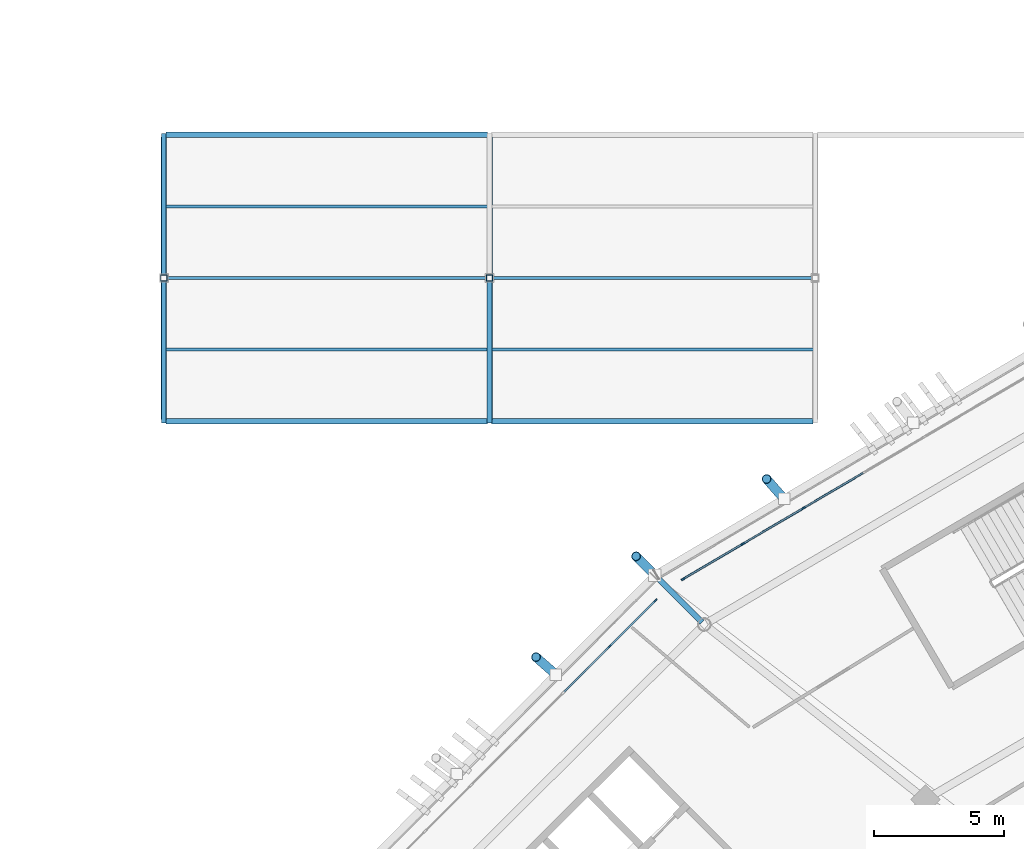
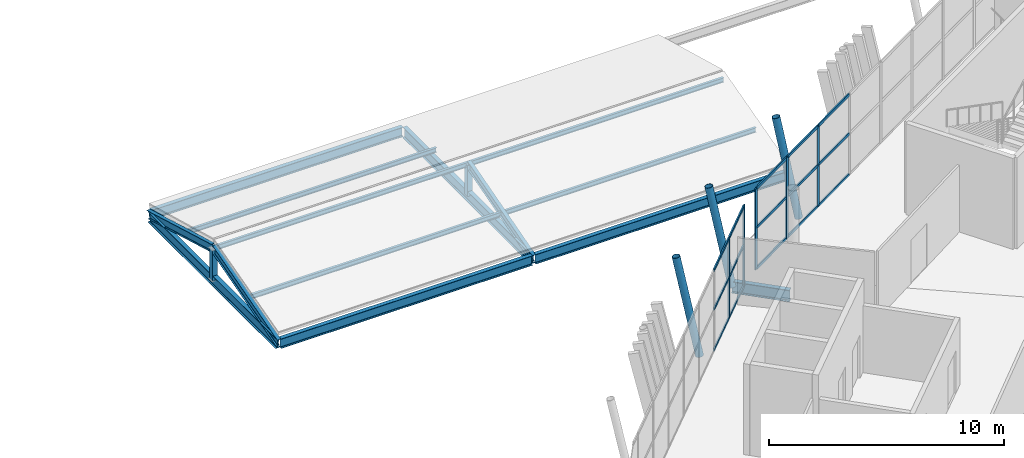
# One storey, part 70 of 179: 33 members, 6 beams, 2 elements without a shape of their own.
"""IFC4 building model written with IfcOpenShell, lengths in metres."""

from ifc_helpers import new_model, si_unit, direction, frame, origin, origin_2d, place, context, subcontext, project, spatial, rectangle, hollow_rectangle, hollow_circle, i_section, extrude, material, material_profile, profile_set, type_object, element, aggregate, save


model = new_model("IFC4")

# Units and contexts
model_context = context("Model", 3, precision=1e-05, world=origin(), true_north=direction((0.0, 1.0)))
body_context = subcontext(model_context, "Body", "Model", "MODEL_VIEW")
ifc_project = project(units=[si_unit("LENGTHUNIT", "METRE"), si_unit("AREAUNIT", "SQUARE_METRE"), si_unit("VOLUMEUNIT", "CUBIC_METRE"), si_unit("PLANEANGLEUNIT", "RADIAN"), si_unit("MASSUNIT", "GRAM", prefix="KILO")], contexts=[model_context])

# Site, building, storey
site_placement = place(None, origin())
site = spatial("IfcSite", under=ifc_project, at=site_placement, CompositionType="ELEMENT")
building_placement = place(site_placement, origin())
building = spatial("IfcBuilding", under=site, at=building_placement, Name="Zlatoyarsky Gate Stadium", CompositionType="ELEMENT")
storey_placement = place(building_placement, frame((0.0, 0.0, 10.60009765625)))
storey = spatial("IfcBuildingStorey", under=building, at=storey_placement, Name="L02", CompositionType="ELEMENT", Elevation=10.60009765625)

# Curtain wall, members
ifc_material_1 = material(Name="Thermally broken anodised aluminium curtain wall", Category="aluminium")
curtain_wall_type = type_object("IfcCurtainWallType", Name="UNITISED HOSPITALITY GLAZING L02", PredefinedType="USERDEFINED", material=ifc_material_1)
curtain_wall_1_placement = place(storey_placement, origin())
curtain_wall_1 = element("IfcCurtainWall", 1, at=curtain_wall_1_placement, inside=storey, type_object=curtain_wall_type, Name="Curtain wall CW-L02-08", ObjectType="UNITISED GLAZING", PredefinedType="USERDEFINED")
ifc_material_2 = material(Name="Anodised aluminium 6063-T6", Category="aluminium")
ifc_material_profile_1 = material_profile(ifc_material_2, rectangle(XDim=0.06494140625, YDim=0.159912109375, at=origin_2d()), Name="ALU 65X160")
ifc_profile_set_1 = profile_set([ifc_material_profile_1], Name="Anodised aluminium 6063-T6")
member_type_1 = type_object("IfcMemberType", Name="ALUMINIUM MULLION 65X160", PredefinedType="MULLION", material=ifc_profile_set_1)
member_1_placement = place(storey_placement, frame((49.039306640625, 134.666259765625, 0.0), z_axis=(0.0, 0.0, 1.0), x_axis=(0.507882360945, -0.861426437626, 0.0)))
member_1 = element("IfcMember", 2, at=member_1_placement, type_object=member_type_1, Name="CW-UG2 mullion 7", PredefinedType="MULLION", context=body_context, shape_type="SweptSolid", body=[
    extrude(rectangle(XDim=0.06494140625, YDim=0.159912109375, at=origin_2d()), origin(), (0.0, 0.0, 1.0), 4.199951171875),
])
member_2_placement = place(storey_placement, frame((46.720703125, 133.299072265625, 0.0), z_axis=(0.0, 0.0, 1.0), x_axis=(0.507882360945, -0.861426437626, 0.0)))
member_2 = element("IfcMember", 3, at=member_2_placement, type_object=member_type_1, Name="CW-UG2 mullion 8", PredefinedType="MULLION", context=body_context, shape_type="SweptSolid", body=[
    extrude(rectangle(XDim=0.06494140625, YDim=0.159912109375, at=origin_2d()), origin(), (0.0, 0.0, 1.0), 4.199951171875),
])
member_3_placement = place(storey_placement, frame((44.4296875, 131.948486328125, 0.0), z_axis=(0.0, 0.0, 1.0), x_axis=(0.507882360945, -0.861426437626, 0.0)))
member_3 = element("IfcMember", 4, at=member_3_placement, type_object=member_type_1, Name="CW-UG2 mullion 9", PredefinedType="MULLION", context=body_context, shape_type="SweptSolid", body=[
    extrude(rectangle(XDim=0.06494140625, YDim=0.159912109375, at=origin_2d()), origin(), (0.0, 0.0, 1.0), 4.199951171875),
])

curtain_wall_2_placement = place(storey_placement, origin())
curtain_wall_2 = element("IfcCurtainWall", 5, at=curtain_wall_2_placement, inside=storey, type_object=curtain_wall_type, Name="Curtain wall CW-L02-09", ObjectType="UNITISED GLAZING", PredefinedType="USERDEFINED")
member_4_placement = place(storey_placement, frame((43.359619140625, 131.118896484375, 0.0), z_axis=(0.0, 0.0, 1.0), x_axis=(0.707587678066, -0.706625557031, 0.0)))
member_4 = element("IfcMember", 6, at=member_4_placement, type_object=member_type_1, Name="CW-UG2 mullion 1", PredefinedType="MULLION", context=body_context, shape_type="SweptSolid", body=[
    extrude(rectangle(XDim=0.06494140625, YDim=0.159912109375, at=origin_2d()), origin(), (0.0, 0.0, 1.0), 4.199951171875),
])
member_5_placement = place(storey_placement, frame((41.61083984375, 129.36767578125, 0.0), z_axis=(0.0, 0.0, 1.0), x_axis=(0.707587678066, -0.706625557031, 0.0)))
member_5 = element("IfcMember", 7, at=member_5_placement, type_object=member_type_1, Name="CW-UG2 mullion 2", PredefinedType="MULLION", context=body_context, shape_type="SweptSolid", body=[
    extrude(rectangle(XDim=0.06494140625, YDim=0.159912109375, at=origin_2d()), origin(), (0.0, 0.0, 1.0), 4.199951171875),
])

# Member
ifc_material_profile_2 = material_profile(ifc_material_2, rectangle(XDim=0.06494140625, YDim=0.139892578125, at=origin_2d()), Name="ALU 65X140")
ifc_profile_set_2 = profile_set([ifc_material_profile_2], Name="Anodised aluminium 6063-T6")
member_type_2 = type_object("IfcMemberType", Name="ALUMINIUM TRANSOM 65X140", PredefinedType="USERDEFINED", material=ifc_profile_set_2)
member_6_placement = place(storey_placement, frame((51.330322265625, 136.016845703125, 0.032470703125), z_axis=(-0.861420118469, -0.507893078804, 0.0), x_axis=(0.507893078804, -0.861420118469, 0.0)))
member_6 = element("IfcMember", 8, at=member_6_placement, type_object=member_type_2, Name="CW-UG2 transom 6.1", ObjectType="TRANSOM", PredefinedType="USERDEFINED", context=body_context, shape_type="SweptSolid", body=[
    extrude(rectangle(XDim=0.06494140625, YDim=0.139892578125, at=origin_2d()), origin(), (0.0, 0.0, 1.0), 2.626953125),
])

member_7_placement = place(storey_placement, frame((51.330322265625, 136.016845703125, 2.14990234375), z_axis=(-0.861420118469, -0.507893078804, 0.0), x_axis=(0.507893078804, -0.861420118469, 0.0)))
member_7 = element("IfcMember", 9, at=member_7_placement, type_object=member_type_2, Name="CW-UG2 transom 6.2", ObjectType="TRANSOM", PredefinedType="USERDEFINED", context=body_context, shape_type="SweptSolid", body=[
    extrude(rectangle(XDim=0.06494140625, YDim=0.139892578125, at=origin_2d()), origin(), (0.0, 0.0, 1.0), 2.626953125),
])

member_8_placement = place(storey_placement, frame((51.330322265625, 136.016845703125, 4.16748046875), z_axis=(-0.861420118469, -0.507893078804, 0.0), x_axis=(0.507893078804, -0.861420118469, 0.0)))
member_8 = element("IfcMember", 10, at=member_8_placement, type_object=member_type_2, Name="CW-UG2 transom 6.3", ObjectType="TRANSOM", PredefinedType="USERDEFINED", context=body_context, shape_type="SweptSolid", body=[
    extrude(rectangle(XDim=0.06494140625, YDim=0.139892578125, at=origin_2d()), origin(), (0.0, 0.0, 1.0), 2.626953125),
])

member_9_placement = place(storey_placement, frame((49.011474609375, 134.649658203125, 0.032470703125), z_axis=(-0.861420118469, -0.507893078804, 0.0), x_axis=(0.507893078804, -0.861420118469, 0.0)))
member_9 = element("IfcMember", 11, at=member_9_placement, type_object=member_type_2, Name="CW-UG2 transom 7.1", ObjectType="TRANSOM", PredefinedType="USERDEFINED", context=body_context, shape_type="SweptSolid", body=[
    extrude(rectangle(XDim=0.06494140625, YDim=0.139892578125, at=origin_2d()), origin(), (0.0, 0.0, 1.0), 2.626953125),
])

member_10_placement = place(storey_placement, frame((49.011474609375, 134.649658203125, 2.14990234375), z_axis=(-0.861420118469, -0.507893078804, 0.0), x_axis=(0.507893078804, -0.861420118469, 0.0)))
member_10 = element("IfcMember", 12, at=member_10_placement, type_object=member_type_2, Name="CW-UG2 transom 7.2", ObjectType="TRANSOM", PredefinedType="USERDEFINED", context=body_context, shape_type="SweptSolid", body=[
    extrude(rectangle(XDim=0.06494140625, YDim=0.139892578125, at=origin_2d()), origin(), (0.0, 0.0, 1.0), 2.626953125),
])

member_11_placement = place(storey_placement, frame((49.011474609375, 134.649658203125, 4.16748046875), z_axis=(-0.861420118469, -0.507893078804, 0.0), x_axis=(0.507893078804, -0.861420118469, 0.0)))
member_11 = element("IfcMember", 13, at=member_11_placement, type_object=member_type_2, Name="CW-UG2 transom 7.3", ObjectType="TRANSOM", PredefinedType="USERDEFINED", context=body_context, shape_type="SweptSolid", body=[
    extrude(rectangle(XDim=0.06494140625, YDim=0.139892578125, at=origin_2d()), origin(), (0.0, 0.0, 1.0), 2.626953125),
])

member_12_placement = place(storey_placement, frame((46.692626953125, 133.282470703125, 0.032470703125), z_axis=(-0.861428189178, -0.507879390102, 0.0), x_axis=(0.507879390102, -0.861428189178, 0.0)))
member_12 = element("IfcMember", 14, at=member_12_placement, type_object=member_type_2, Name="CW-UG2 transom 8.1", ObjectType="TRANSOM", PredefinedType="USERDEFINED", context=body_context, shape_type="SweptSolid", body=[
    extrude(rectangle(XDim=0.06494140625, YDim=0.139892578125, at=origin_2d()), origin(), (0.0, 0.0, 1.0), 2.594482421875),
])

member_13_placement = place(storey_placement, frame((46.692626953125, 133.282470703125, 2.14990234375), z_axis=(-0.861428189178, -0.507879390102, 0.0), x_axis=(0.507879390102, -0.861428189178, 0.0)))
member_13 = element("IfcMember", 15, at=member_13_placement, type_object=member_type_2, Name="CW-UG2 transom 8.2", ObjectType="TRANSOM", PredefinedType="USERDEFINED", context=body_context, shape_type="SweptSolid", body=[
    extrude(rectangle(XDim=0.06494140625, YDim=0.139892578125, at=origin_2d()), origin(), (0.0, 0.0, 1.0), 2.594482421875),
])

member_14_placement = place(storey_placement, frame((46.692626953125, 133.282470703125, 4.16748046875), z_axis=(-0.861428189178, -0.507879390102, 0.0), x_axis=(0.507879390102, -0.861428189178, 0.0)))
member_14 = element("IfcMember", 16, at=member_14_placement, type_object=member_type_2, Name="CW-UG2 transom 8.3", ObjectType="TRANSOM", PredefinedType="USERDEFINED", context=body_context, shape_type="SweptSolid", body=[
    extrude(rectangle(XDim=0.06494140625, YDim=0.139892578125, at=origin_2d()), origin(), (0.0, 0.0, 1.0), 2.594482421875),
])

aggregate(curtain_wall_1, [member_1, member_2, member_3, member_6, member_7, member_8, member_9, member_10, member_11, member_12, member_13, member_14])

member_15_placement = place(storey_placement, frame((43.336669921875, 131.095947265625, 0.032470703125), z_axis=(-0.706600076415, -0.707613123119, 0.0), x_axis=(0.707613123119, -0.706600076415, 0.0)))
member_15 = element("IfcMember", 17, at=member_15_placement, type_object=member_type_2, Name="CW-UG2 transom 1.1", ObjectType="TRANSOM", PredefinedType="USERDEFINED", context=body_context, shape_type="SweptSolid", body=[
    extrude(rectangle(XDim=0.06494140625, YDim=0.139892578125, at=origin_2d()), origin(), (0.0, 0.0, 1.0), 2.409912109375),
])

member_16_placement = place(storey_placement, frame((43.336669921875, 131.095947265625, 2.14990234375), z_axis=(-0.706600076415, -0.707613123119, 0.0), x_axis=(0.707613123119, -0.706600076415, 0.0)))
member_16 = element("IfcMember", 18, at=member_16_placement, type_object=member_type_2, Name="CW-UG2 transom 1.2", ObjectType="TRANSOM", PredefinedType="USERDEFINED", context=body_context, shape_type="SweptSolid", body=[
    extrude(rectangle(XDim=0.06494140625, YDim=0.139892578125, at=origin_2d()), origin(), (0.0, 0.0, 1.0), 2.409912109375),
])

member_17_placement = place(storey_placement, frame((43.336669921875, 131.095947265625, 4.16748046875), z_axis=(-0.706600076415, -0.707613123119, 0.0), x_axis=(0.707613123119, -0.706600076415, 0.0)))
member_17 = element("IfcMember", 19, at=member_17_placement, type_object=member_type_2, Name="CW-UG2 transom 1.3", ObjectType="TRANSOM", PredefinedType="USERDEFINED", context=body_context, shape_type="SweptSolid", body=[
    extrude(rectangle(XDim=0.06494140625, YDim=0.139892578125, at=origin_2d()), origin(), (0.0, 0.0, 1.0), 2.409912109375),
])

member_18_placement = place(storey_placement, frame((41.587890625, 129.3447265625, 0.032470703125), z_axis=(-0.706656856545, -0.707556419728, 0.0), x_axis=(0.707556419728, -0.706656856545, 0.0)))
member_18 = element("IfcMember", 20, at=member_18_placement, type_object=member_type_2, Name="CW-UG2 transom 2.1", ObjectType="TRANSOM", PredefinedType="USERDEFINED", context=body_context, shape_type="SweptSolid", body=[
    extrude(rectangle(XDim=0.06494140625, YDim=0.139892578125, at=origin_2d()), origin(), (0.0, 0.0, 1.0), 2.442626953125),
])

member_19_placement = place(storey_placement, frame((41.587890625, 129.3447265625, 2.14990234375), z_axis=(-0.706656856545, -0.707556419728, 0.0), x_axis=(0.707556419728, -0.706656856545, 0.0)))
member_19 = element("IfcMember", 21, at=member_19_placement, type_object=member_type_2, Name="CW-UG2 transom 2.2", ObjectType="TRANSOM", PredefinedType="USERDEFINED", context=body_context, shape_type="SweptSolid", body=[
    extrude(rectangle(XDim=0.06494140625, YDim=0.139892578125, at=origin_2d()), origin(), (0.0, 0.0, 1.0), 2.442626953125),
])

member_20_placement = place(storey_placement, frame((41.587890625, 129.3447265625, 4.16748046875), z_axis=(-0.706656856545, -0.707556419728, 0.0), x_axis=(0.707556419728, -0.706656856545, 0.0)))
member_20 = element("IfcMember", 22, at=member_20_placement, type_object=member_type_2, Name="CW-UG2 transom 2.3", ObjectType="TRANSOM", PredefinedType="USERDEFINED", context=body_context, shape_type="SweptSolid", body=[
    extrude(rectangle(XDim=0.06494140625, YDim=0.139892578125, at=origin_2d()), origin(), (0.0, 0.0, 1.0), 2.442626953125),
])

aggregate(curtain_wall_2, [member_4, member_5, member_15, member_16, member_17, member_18, member_19, member_20])

# Beams
ifc_material_3 = material(Name="Steel S355", Category="steel")
ifc_material_profile_3 = material_profile(ifc_material_3, i_section(OverallWidth=0.219970703125, OverallDepth=0.60009765625, WebThickness=0.011962890625, FlangeThickness=0.01904296875, FilletRadius=0.02392578125, at=origin_2d()), Name="IPE 600")
ifc_profile_set_3 = profile_set([ifc_material_profile_3], Name="Steel S355")
beam_type_1 = type_object("IfcBeamType", Name="STEEL CANTILEVER FLOOR BEAM IPE 600", PredefinedType="BEAM", material=ifc_profile_set_3)
beam_placement = place(storey_placement, frame((45.154296875, 130.28955078125, -0.580078125), z_axis=(-0.707154540923, 0.707059018224, 0.0), x_axis=(-0.707059018224, -0.707154540923, 0.0)))
element("IfcBeam", 23, at=beam_placement, inside=storey, type_object=beam_type_1, Name="Beam B-IPE600 BM-L02-OUT-09", PredefinedType="BEAM", context=body_context, shape_type="SweptSolid", body=[
    extrude(i_section(OverallWidth=0.219970703125, OverallDepth=0.60009765625, WebThickness=0.011962890625, FlangeThickness=0.01904296875, FilletRadius=0.02392578125, at=origin_2d()), origin(), (0.0, 0.0, 1.0), 2.555908203125),
])
ifc_material_profile_4 = material_profile(ifc_material_3, i_section(OverallWidth=0.199951171875, OverallDepth=0.5, WebThickness=0.01025390625, FlangeThickness=0.01611328125, FilletRadius=0.02099609375, at=origin_2d()), Name="IPE 500")
ifc_profile_set_4 = profile_set([ifc_material_profile_4], Name="Steel S355")
beam_type_2 = type_object("IfcBeamType", Name="STEEL FLOOR BEAM IPE 500", PredefinedType="BEAM", material=ifc_profile_set_4)
for number, where, z_axis, x_axis, name in (
    (24, (24.580078125, 138.0, -0.530029296875), (1.0, 0.0, 0.0), (0.0, 1.0, 0.0), "Beam B-IPE500 BM-L02-WGX-3-N"),
    (25, (24.580078125, 149.0, -0.530029296875), (1.0, 0.0, 0.0), (0.0, 1.0, 0.0), "Beam B-IPE500 BM-L02-WGX-3-P"),
    (26, (37.080078125, 138.0, -0.530029296875), (1.0, 0.0, 0.0), (0.0, 1.0, 0.0), "Beam B-IPE500 BM-L02-WGX-4-N"),
):
    element("IfcBeam", number, at=place(storey_placement, frame(where, z_axis=z_axis, x_axis=x_axis)), inside=storey, type_object=beam_type_2, Name=name, PredefinedType="BEAM", context=body_context, shape_type="SweptSolid", body=[
        extrude(i_section(OverallWidth=0.199951171875, OverallDepth=0.5, WebThickness=0.01025390625, FlangeThickness=0.01611328125, FilletRadius=0.02099609375, at=origin_2d()), origin(), (0.0, 0.0, 1.0), 12.33984375),
    ])
ifc_material_profile_5 = material_profile(ifc_material_3, i_section(OverallWidth=0.2099609375, OverallDepth=0.550048828125, WebThickness=0.010986328125, FlangeThickness=0.01708984375, FilletRadius=0.02392578125, at=origin_2d()), Name="IPE 550")
ifc_profile_set_5 = profile_set([ifc_material_profile_5], Name="Steel S355")
beam_type_3 = type_object("IfcBeamType", Name="STEEL FLOOR BEAM IPE 550", PredefinedType="BEAM", material=ifc_profile_set_5)
for number, where, z_axis, x_axis, name in (
    (27, (24.5, 138.080078125, -0.55517578125), (0.0, 1.0, 0.0), (-1.0, 0.0, 0.0), "Beam B-IPE550 BM-L02-WGY-3-N"),
    (28, (37.0, 138.080078125, -0.55517578125), (0.0, 1.0, 0.0), (-1.0, 0.0, 0.0), "Beam B-IPE550 BM-L02-WGY-4-N"),
):
    element("IfcBeam", number, at=place(storey_placement, frame(where, z_axis=z_axis, x_axis=x_axis)), inside=storey, type_object=beam_type_3, Name=name, PredefinedType="BEAM", context=body_context, shape_type="SweptSolid", body=[
        extrude(i_section(OverallWidth=0.2099609375, OverallDepth=0.550048828125, WebThickness=0.010986328125, FlangeThickness=0.01708984375, FilletRadius=0.02392578125, at=origin_2d()), origin(), (0.0, 0.0, 1.0), 10.83984375),
    ])

# Members
ifc_material_profile_6 = material_profile(ifc_material_3, hollow_circle(Radius=0.177734375, WallThickness=0.02001953125, at=origin_2d()), Name="CHS 355.6X20")
ifc_profile_set_6 = profile_set([ifc_material_profile_6], Name="Steel S355")
member_type_3 = type_object("IfcMemberType", Name="STEEL LEANING RIB RING STRUT CHS 355.6X20", PredefinedType="STRUT", material=ifc_profile_set_6)
member_21_placement = place(storey_placement, frame((43.346923828125, 132.0966796875, -0.580078125), z_axis=(-0.142200329334, 0.142200329334, 0.979570381685), x_axis=(-0.707106781187, -0.707106781187, 0.0)))
element("IfcMember", 29, at=member_21_placement, inside=storey, type_object=member_type_3, Name="Leaning ring strut 09 L02 to L03", PredefinedType="STRUT", context=body_context, shape_type="SweptSolid", body=[
    extrude(hollow_circle(Radius=0.177734375, WallThickness=0.02001953125, at=origin_2d()), origin(), (0.0, 0.0, 1.0), 5.104248046875),
])
for number, where, z_axis, x_axis, name in (
    (30, (48.30078125, 135.023681640625, -0.530029296875), (-0.131807617204, 0.150227193474, 0.979825771445), (-0.751686237623, -0.659520886832, 0.0), "Outward-leaning bowl louvre fin rib L02 08-3"),
    (31, (39.545654296875, 128.281982421875, -0.530029296875), (-0.150180429646, 0.131808564408, 0.979832812729), (-0.659639578482, -0.751582082343, 0.0), "Outward-leaning bowl louvre fin rib L02 09-1"),
):
    element("IfcMember", number, at=place(storey_placement, frame(where, z_axis=z_axis, x_axis=x_axis)), inside=storey, type_object=member_type_3, Name=name, PredefinedType="STRUT", context=body_context, shape_type="SweptSolid", body=[
        extrude(hollow_circle(Radius=0.177734375, WallThickness=0.02001953125, at=origin_2d()), origin(), (0.0, 0.0, 1.0), 5.10302734375),
    ])
ifc_material_profile_7 = material_profile(ifc_material_3, i_section(OverallWidth=0.1201171875, OverallDepth=0.239990234375, WebThickness=0.006103515625, FlangeThickness=0.009765625, FilletRadius=0.014892578125, at=origin_2d()), Name="IPE 240")
ifc_profile_set_7 = profile_set([ifc_material_profile_7], Name="Steel S355")
member_type_4 = type_object("IfcMemberType", Name="STEEL PAVILION ROOF PURLIN IPE 240", PredefinedType="PURLIN", material=ifc_profile_set_7)
for number, where, z_axis, x_axis, name in (
    (32, (24.5, 143.5, 1.06982421875), (1.0, 0.0, 0.0), (0.0, 1.0, 0.0), "V6_NW ridge purlin 1"),
    (33, (24.5, 140.75, 0.14501953125), (1.0, 0.0, 0.0), (0.0, 1.0, 0.0), "V6_NW roof purlin 1S"),
    (34, (24.5, 146.25, 0.14501953125), (1.0, 0.0, 0.0), (0.0, 1.0, 0.0), "V6_NW roof purlin 1N"),
    (35, (37.0, 143.5, 1.06982421875), (1.0, 0.0, 0.0), (0.0, 1.0, 0.0), "V6_NW ridge purlin 2"),
    (36, (37.0, 140.75, 0.14501953125), (1.0, 0.0, 0.0), (0.0, 1.0, 0.0), "V6_NW roof purlin 2S"),
):
    element("IfcMember", number, at=place(storey_placement, frame(where, z_axis=z_axis, x_axis=x_axis)), inside=storey, type_object=member_type_4, Name=name, PredefinedType="PURLIN", context=body_context, shape_type="SweptSolid", body=[
        extrude(i_section(OverallWidth=0.1201171875, OverallDepth=0.239990234375, WebThickness=0.006103515625, FlangeThickness=0.009765625, FilletRadius=0.014892578125, at=origin_2d()), origin(), (0.0, 0.0, 1.0), 12.5),
    ])
ifc_material_profile_8 = material_profile(ifc_material_3, i_section(OverallWidth=0.179931640625, OverallDepth=0.39990234375, WebThickness=0.008544921875, FlangeThickness=0.013427734375, FilletRadius=0.02099609375, at=origin_2d()), Name="IPE 400")
ifc_profile_set_8 = profile_set([ifc_material_profile_8], Name="Steel S355")
member_type_5 = type_object("IfcMemberType", Name="STEEL PAVILION ROOF RAFTER IPE 400", PredefinedType="RAFTER", material=ifc_profile_set_8)
for number, where, z_axis, x_axis, name in (
    (37, (24.5, 138.0, -0.5), (0.0, 0.961598006641, 0.274461789005), (-1.0, 0.0, 0.0), "V6_NW roof rafter 1A"),
    (38, (24.5, 149.0, -0.5), (0.0, -0.961598006641, 0.274461789005), (1.0, 0.0, 0.0), "V6_NW roof rafter 1B"),
    (39, (37.0, 138.0, -0.5), (0.0, 0.961598006641, 0.274461789005), (-1.0, 0.0, 0.0), "V6_NW roof rafter 2A"),
):
    element("IfcMember", number, at=place(storey_placement, frame(where, z_axis=z_axis, x_axis=x_axis)), inside=storey, type_object=member_type_5, Name=name, PredefinedType="RAFTER", context=body_context, shape_type="SweptSolid", body=[
        extrude(i_section(OverallWidth=0.179931640625, OverallDepth=0.39990234375, WebThickness=0.008544921875, FlangeThickness=0.013427734375, FilletRadius=0.02099609375, at=origin_2d()), origin(), (0.0, 0.0, 1.0), 5.7197265625),
    ])
ifc_material_profile_9 = material_profile(ifc_material_3, hollow_rectangle(XDim=0.25, YDim=0.25, WallThickness=0.01611328125, at=origin_2d()), Name="SHS 250X250X16")
ifc_profile_set_9 = profile_set([ifc_material_profile_9], Name="Steel S355")
member_type_6 = type_object("IfcMemberType", Name="STEEL PAVILION TRUSS STRUT SHS 250X250X16", PredefinedType="STRUT", material=ifc_profile_set_9)
for number, where, z_axis, x_axis, name in (
    (40, (24.5, 143.5, -0.530029296875), (0.0, 0.0, 1.0), (1.0, 0.0, 0.0), "V6_NW king post strut 1"),
    (41, (37.0, 143.5, -0.530029296875), (0.0, 0.0, 1.0), (1.0, 0.0, 0.0), "V6_NW king post strut 2"),
):
    element("IfcMember", number, at=place(storey_placement, frame(where, z_axis=z_axis, x_axis=x_axis)), inside=storey, type_object=member_type_6, Name=name, PredefinedType="STRUT", context=body_context, shape_type="SweptSolid", body=[
        extrude(hollow_rectangle(XDim=0.25, YDim=0.25, WallThickness=0.01611328125, at=origin_2d()), origin(), (0.0, 0.0, 1.0), 1.599853515625),
    ])

save(model, "model.ifc")
